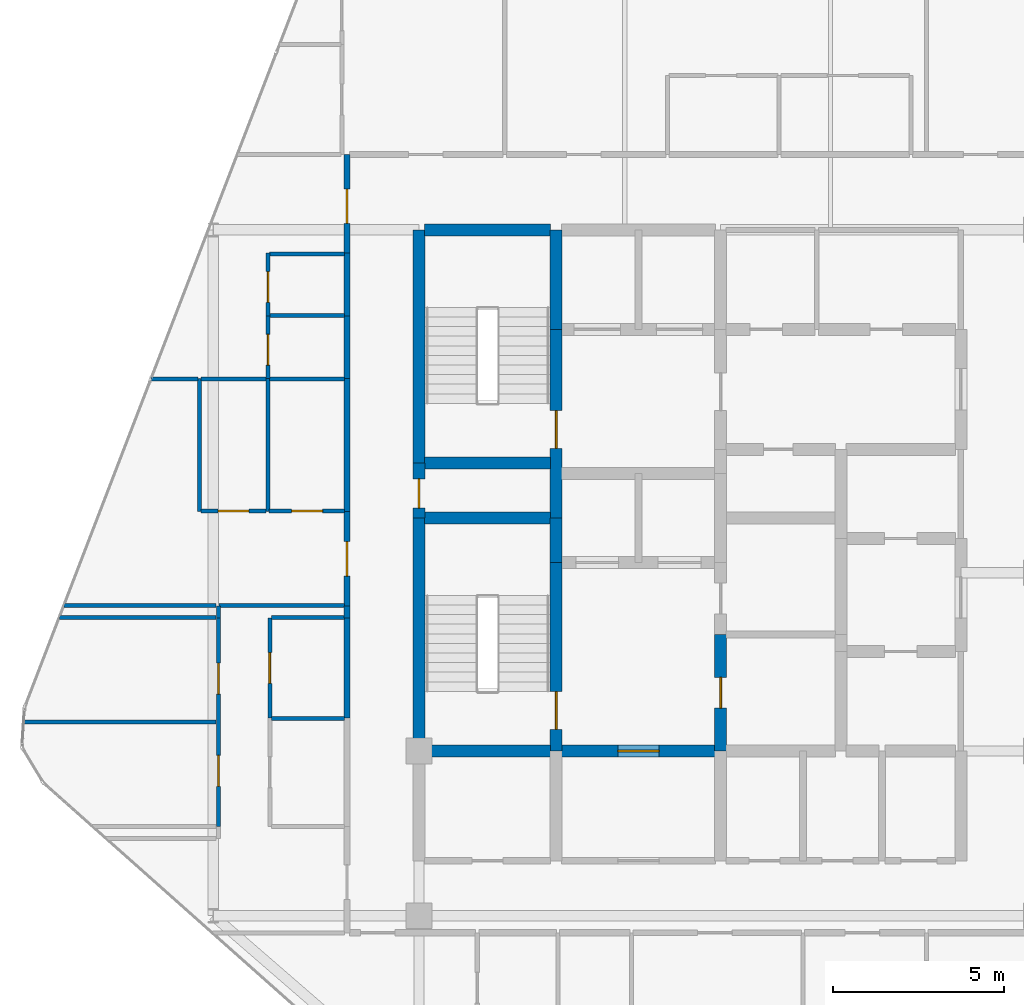
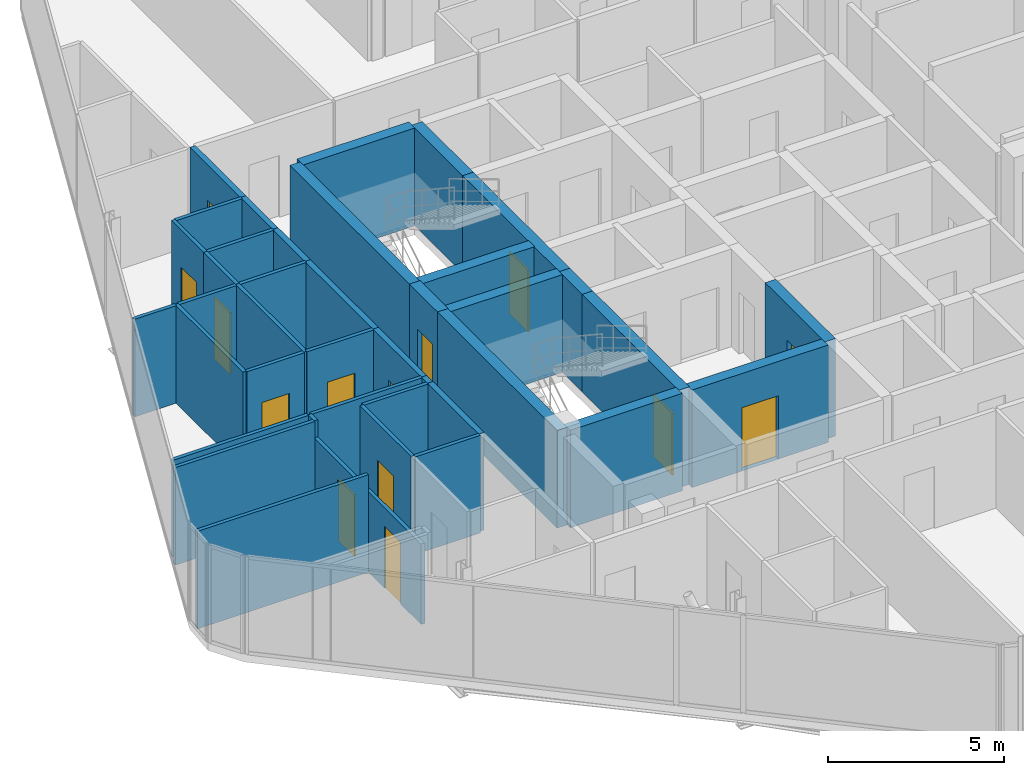
# One storey, part 23 of 27: 40 walls, 14 doors, 14 openings.
"""IFC4 building model written with IfcOpenShell, lengths in metres."""

from ifc_helpers import new_model, si_unit, direction, frame, frame_2d, origin, place, context, subcontext, project, spatial, rectangle, extrude, material, layer, layer_set, type_object, element, fill, save


model = new_model("IFC4")

# Units and contexts
model_context = context("Model", 3, precision=1e-05, world=origin(), true_north=direction((0.0, 1.0)))
body_context = subcontext(model_context, "Body", "Model", "MODEL_VIEW")
ifc_project = project(units=[si_unit("LENGTHUNIT", "METRE"), si_unit("AREAUNIT", "SQUARE_METRE"), si_unit("VOLUMEUNIT", "CUBIC_METRE"), si_unit("PLANEANGLEUNIT", "RADIAN"), si_unit("MASSUNIT", "GRAM", prefix="KILO")], contexts=[model_context])

# Site, building, storey
site_placement = place(None, origin())
site = spatial("IfcSite", under=ifc_project, at=site_placement, CompositionType="ELEMENT")
building_placement = place(site_placement, origin())
building = spatial("IfcBuilding", under=site, at=building_placement, Name="Keshet Zoharim Tower", CompositionType="ELEMENT")
storey_placement = place(building_placement, frame((0.0, 0.0, 262.10009765625)))
storey = spatial("IfcBuildingStorey", under=building, at=storey_placement, Name="L65", CompositionType="ELEMENT", Elevation=262.10009765625)

# Wall
ifc_material_1 = material(Name="Concrete C60/75", Category="concrete")
ifc_layer_1 = layer(ifc_material_1, 0.35009765625)
ifc_layer_set_1 = layer_set([ifc_layer_1], Name="Concrete C60/75")
wall_type_1 = type_object("IfcWallType", Name="WL-CORE-350", PredefinedType="SHEAR", material=ifc_layer_set_1)
wall_1_placement = place(storey_placement, frame((15.0, 22.699951171875, 0.0), z_axis=(0.0, 0.0, 1.0), x_axis=(0.0, 1.0, 0.0)))
element("IfcWall", 1, at=wall_1_placement, inside=storey, type_object=wall_type_1, Name="L65 Core Shear Wall 022", PredefinedType="SHEAR", context=body_context, shape_type="SweptSolid", body=[
    extrude(rectangle(XDim=6.800048828125, YDim=0.35009765625, at=frame_2d((3.39990234375, 0.0))), origin(), (0.0, 0.0, 1.0), 3.389892578125),
])

# Wall, opening, door
wall_2_placement = place(storey_placement, frame((15.0, 29.5, 0.0), z_axis=(0.0, 0.0, 1.0), x_axis=(0.0, 1.0, 0.0)))
wall_2 = element("IfcWall", 2, at=wall_2_placement, inside=storey, type_object=wall_type_1, Name="L65 Core Shear Wall 023", PredefinedType="SHEAR", context=body_context, shape_type="SweptSolid", body=[
    extrude(rectangle(XDim=1.60009765625, YDim=0.35009765625, at=frame_2d((0.800048828125, 0.0))), origin(), (0.0, 0.0, 1.0), 3.389892578125),
])
opening_1_placement = place(wall_2_placement, frame((0.287109375, 0.0, 0.0)))
opening_1 = element("IfcOpeningElement", 3, at=opening_1_placement, cuts=wall_2, Name="Opening D-RS85", PredefinedType="OPENING", context=body_context, shape_type="SweptSolid", body=[
    extrude(rectangle(XDim=0.85009765625, YDim=2.10009765625, at=frame_2d((0.425048828125, 1.050048828125))), frame((0.0, 0.18505859375, 0.0), z_axis=(0.0, -1.0, 0.0), x_axis=(1.0, 0.0, 0.0)), (0.0, 0.0, 1.0), 0.3701171875),
])
ifc_material_2 = material(Name="Hardwood Timber", Category="wood")
door_type_1 = type_object("IfcDoorType", Name="DR-RIS-085", OperationType="NOTDEFINED", PredefinedType="DOOR", material=ifc_material_2)
door_1_placement = place(opening_1_placement, origin())
door_1 = element("IfcDoor", 4, at=door_1_placement, inside=storey, type_object=door_type_1, Name="L65 Electrical Riser Access Cupboard Door", OperationType="SINGLE_SWING_RIGHT", OverallHeight=2.10009765625, OverallWidth=0.85009765625, PredefinedType="DOOR", context=body_context, shape_type="SweptSolid", body=[
    extrude(rectangle(XDim=0.85009765625, YDim=2.10009765625, at=frame_2d((0.425048828125, 1.050048828125))), frame((0.0, 0.02490234375, 0.0), z_axis=(0.0, -1.0, 0.0), x_axis=(1.0, 0.0, 0.0)), (0.0, 0.0, 1.0), 0.050048828125),
])
fill(opening_1, door_1)

# Wall
wall_3_placement = place(storey_placement, frame((15.0, 31.10009765625, 0.0), z_axis=(0.0, 0.0, 1.0), x_axis=(0.0, 1.0, 0.0)))
element("IfcWall", 5, at=wall_3_placement, inside=storey, type_object=wall_type_1, Name="L65 Core Shear Wall 024", PredefinedType="SHEAR", context=body_context, shape_type="SweptSolid", body=[
    extrude(rectangle(XDim=6.7998046875, YDim=0.35009765625, at=frame_2d((3.39990234375, 0.0))), origin(), (0.0, 0.0, 1.0), 3.389892578125),
])

# Wall, opening, door
wall_4_placement = place(storey_placement, frame((19.0, 22.699951171875, 0.0), z_axis=(0.0, 0.0, 1.0), x_axis=(0.0, 1.0, 0.0)))
wall_4 = element("IfcWall", 6, at=wall_4_placement, inside=storey, type_object=wall_type_1, Name="L65 Core Shear Wall 029", PredefinedType="SHEAR", context=body_context, shape_type="SweptSolid", body=[
    extrude(rectangle(XDim=5.5, YDim=0.35009765625, at=frame_2d((2.75, 0.0))), origin(), (0.0, 0.0, 1.0), 3.389892578125),
])
opening_2_placement = place(wall_4_placement, frame((0.631103515625, 0.0, 0.0)))
opening_2 = element("IfcOpeningElement", 7, at=opening_2_placement, cuts=wall_4, Name="Opening D-F611", PredefinedType="OPENING", context=body_context, shape_type="SweptSolid", body=[
    extrude(rectangle(XDim=1.10009765625, YDim=2.14990234375, at=frame_2d((0.550048828125, 1.074951171875))), frame((0.0, 0.18505859375, 0.0), z_axis=(0.0, -1.0, 0.0), x_axis=(1.0, 0.0, 0.0)), (0.0, 0.0, 1.0), 0.3701171875),
])
door_type_2 = type_object("IfcDoorType", Name="DR-FD60-110", OperationType="NOTDEFINED", PredefinedType="DOOR", material=ifc_material_2)
door_2_placement = place(opening_2_placement, origin())
door_2 = element("IfcDoor", 8, at=door_2_placement, inside=storey, type_object=door_type_2, Name="L65 Exit Stair ST-01 Fire Door", OperationType="SINGLE_SWING_RIGHT", OverallHeight=2.14990234375, OverallWidth=1.10009765625, PredefinedType="DOOR", context=body_context, shape_type="SweptSolid", body=[
    extrude(rectangle(XDim=1.10009765625, YDim=2.14990234375, at=frame_2d((0.550048828125, 1.074951171875))), frame((0.0, 0.02490234375, 0.0), z_axis=(0.0, -1.0, 0.0), x_axis=(1.0, 0.0, 0.0)), (0.0, 0.0, 1.0), 0.050048828125),
])
fill(opening_2, door_2)

# Wall
wall_5_placement = place(storey_placement, frame((19.0, 28.199951171875, 0.0), z_axis=(0.0, 0.0, 1.0), x_axis=(0.0, 1.0, 0.0)))
element("IfcWall", 9, at=wall_5_placement, inside=storey, type_object=wall_type_1, Name="L65 Core Shear Wall 030", PredefinedType="SHEAR", context=body_context, shape_type="SweptSolid", body=[
    extrude(rectangle(XDim=1.300048828125, YDim=0.35009765625, at=frame_2d((0.64990234375, 0.0))), origin(), (0.0, 0.0, 1.0), 3.389892578125),
])

# Wall, opening, door
wall_6_placement = place(storey_placement, frame((19.0, 29.5, 0.0), z_axis=(0.0, 0.0, 1.0), x_axis=(0.0, 1.0, 0.0)))
wall_6 = element("IfcWall", 10, at=wall_6_placement, inside=storey, type_object=wall_type_1, Name="L65 Core Shear Wall 031", PredefinedType="SHEAR", context=body_context, shape_type="SweptSolid", body=[
    extrude(rectangle(XDim=5.5, YDim=0.35009765625, at=frame_2d((2.75, 0.0))), origin(), (0.0, 0.0, 1.0), 3.389892578125),
])
opening_3_placement = place(wall_6_placement, frame((2.02490234375, 0.0, 0.0)))
opening_3 = element("IfcOpeningElement", 11, at=opening_3_placement, cuts=wall_6, Name="Opening D-F611", PredefinedType="OPENING", context=body_context, shape_type="SweptSolid", body=[
    extrude(rectangle(XDim=1.10009765625, YDim=2.14990234375, at=frame_2d((0.550048828125, 1.074951171875))), frame((0.0, 0.18505859375, 0.0), z_axis=(0.0, -1.0, 0.0), x_axis=(1.0, 0.0, 0.0)), (0.0, 0.0, 1.0), 0.3701171875),
])
door_3_placement = place(opening_3_placement, origin())
door_3 = element("IfcDoor", 12, at=door_3_placement, inside=storey, type_object=door_type_2, Name="L65 Exit Stair ST-02 Fire Door", OperationType="SINGLE_SWING_LEFT", OverallHeight=2.14990234375, OverallWidth=1.10009765625, PredefinedType="DOOR", context=body_context, shape_type="SweptSolid", body=[
    extrude(rectangle(XDim=1.10009765625, YDim=2.14990234375, at=frame_2d((0.550048828125, 1.074951171875))), frame((0.0, 0.02490234375, 0.0), z_axis=(0.0, -1.0, 0.0), x_axis=(1.0, 0.0, 0.0)), (0.0, 0.0, 1.0), 0.050048828125),
])
fill(opening_3, door_3)

# Wall
wall_7_placement = place(storey_placement, frame((19.0, 35.0, 0.0), z_axis=(0.0, 0.0, 1.0), x_axis=(0.0, 1.0, 0.0)))
element("IfcWall", 13, at=wall_7_placement, inside=storey, type_object=wall_type_1, Name="L65 Core Shear Wall 032", PredefinedType="SHEAR", context=body_context, shape_type="SweptSolid", body=[
    extrude(rectangle(XDim=2.89990234375, YDim=0.35009765625, at=frame_2d((1.449951171875, 0.0))), origin(), (0.0, 0.0, 1.0), 3.389892578125),
])

# Wall, opening, door
wall_8_placement = place(storey_placement, frame((23.800048828125, 22.699951171875, 0.0), z_axis=(0.0, 0.0, 1.0), x_axis=(0.0, 1.0, 0.0)))
wall_8 = element("IfcWall", 14, at=wall_8_placement, inside=storey, type_object=wall_type_1, Name="L65 Core Shear Wall 042", PredefinedType="SHEAR", context=body_context, shape_type="SweptSolid", body=[
    extrude(rectangle(XDim=3.400146484375, YDim=0.35009765625, at=frame_2d((1.7001953125, 0.0))), origin(), (0.0, 0.0, 1.0), 3.389892578125),
])
opening_4_placement = place(wall_8_placement, frame((1.25, 0.0, 0.0)))
opening_4 = element("IfcOpeningElement", 15, at=opening_4_placement, cuts=wall_8, Name="Opening D-F690", PredefinedType="OPENING", context=body_context, shape_type="SweptSolid", body=[
    extrude(rectangle(XDim=0.89990234375, YDim=2.14990234375, at=frame_2d((0.449951171875, 1.074951171875))), frame((0.0, 0.18505859375, 0.0), z_axis=(0.0, -1.0, 0.0), x_axis=(1.0, 0.0, 0.0)), (0.0, 0.0, 1.0), 0.3701171875),
])
door_type_3 = type_object("IfcDoorType", Name="DR-FD60-090", OperationType="NOTDEFINED", PredefinedType="DOOR", material=ifc_material_2)
door_4_placement = place(opening_4_placement, origin())
door_4 = element("IfcDoor", 16, at=door_4_placement, inside=storey, type_object=door_type_3, Name="L65 Core Linen Store Door", OperationType="SINGLE_SWING_LEFT", OverallHeight=2.14990234375, OverallWidth=0.89990234375, PredefinedType="DOOR", context=body_context, shape_type="SweptSolid", body=[
    extrude(rectangle(XDim=0.89990234375, YDim=2.14990234375, at=frame_2d((0.449951171875, 1.074951171875))), frame((0.0, 0.02490234375, 0.0), z_axis=(0.0, -1.0, 0.0), x_axis=(1.0, 0.0, 0.0)), (0.0, 0.0, 1.0), 0.050048828125),
])
fill(opening_4, door_4)

# Wall
wall_9_placement = place(storey_placement, frame((15.159912109375, 22.699951171875, 0.0), z_axis=(0.0, 0.0, 1.0), x_axis=(1.0, 0.0, 0.0)))
element("IfcWall", 17, at=wall_9_placement, inside=storey, type_object=wall_type_1, Name="L65 Core Shear Wall 120", PredefinedType="SHEAR", context=body_context, shape_type="SweptSolid", body=[
    extrude(rectangle(XDim=3.68017578125, YDim=0.35009765625, at=frame_2d((1.840087890625, 0.0))), origin(), (0.0, 0.0, 1.0), 3.389892578125),
])

# Wall, opening, door
wall_10_placement = place(storey_placement, frame((19.159912109375, 22.699951171875, 0.0), z_axis=(0.0, 0.0, 1.0), x_axis=(1.0, 0.0, 0.0)))
wall_10 = element("IfcWall", 18, at=wall_10_placement, inside=storey, type_object=wall_type_1, Name="L65 Core Shear Wall 121", PredefinedType="SHEAR", context=body_context, shape_type="SweptSolid", body=[
    extrude(rectangle(XDim=4.47998046875, YDim=0.35009765625, at=frame_2d((2.239990234375, 0.0))), origin(), (0.0, 0.0, 1.0), 3.389892578125),
])
opening_5_placement = place(wall_10_placement, frame((1.639892578125, 0.0, 0.0)))
opening_5 = element("IfcOpeningElement", 19, at=opening_5_placement, cuts=wall_10, Name="Opening D-F612", PredefinedType="OPENING", context=body_context, shape_type="SweptSolid", body=[
    extrude(rectangle(XDim=1.199951171875, YDim=2.199951171875, at=frame_2d((0.60009765625, 1.10009765625))), frame((0.0, 0.18505859375, 0.0), z_axis=(0.0, -1.0, 0.0), x_axis=(1.0, 0.0, 0.0)), (0.0, 0.0, 1.0), 0.3701171875),
])
door_type_4 = type_object("IfcDoorType", Name="DR-FD60-120", OperationType="NOTDEFINED", PredefinedType="DOOR", material=ifc_material_2)
door_5_placement = place(opening_5_placement, origin())
door_5 = element("IfcDoor", 20, at=door_5_placement, inside=storey, type_object=door_type_4, Name="L65 South Core Lobby Fire Door", OperationType="SINGLE_SWING_LEFT", OverallHeight=2.199951171875, OverallWidth=1.199951171875, PredefinedType="DOOR", context=body_context, shape_type="SweptSolid", body=[
    extrude(rectangle(XDim=1.199951171875, YDim=2.199951171875, at=frame_2d((0.60009765625, 1.10009765625))), frame((0.0, 0.02490234375, 0.0), z_axis=(0.0, -1.0, 0.0), x_axis=(1.0, 0.0, 0.0)), (0.0, 0.0, 1.0), 0.050048828125),
])
fill(opening_5, door_5)

# Walls
for number, where, z_axis, x_axis, name in (
    (21, (15.159912109375, 29.5, 0.0), (0.0, 0.0, 1.0), (1.0, 0.0, 0.0), "L65 Core Shear Wall 139"),
    (22, (15.159912109375, 31.10009765625, 0.0), (0.0, 0.0, 1.0), (1.0, 0.0, 0.0), "L65 Core Shear Wall 144"),
    (23, (15.159912109375, 37.89990234375, 0.0), (0.0, 0.0, 1.0), (1.0, 0.0, 0.0), "L65 Core Shear Wall 158"),
):
    element("IfcWall", number, at=place(storey_placement, frame(where, z_axis=z_axis, x_axis=x_axis)), inside=storey, type_object=wall_type_1, Name=name, PredefinedType="SHEAR", context=body_context, shape_type="SweptSolid", body=[
        extrude(rectangle(XDim=3.68017578125, YDim=0.35009765625, at=frame_2d((1.840087890625, 0.0))), origin(), (0.0, 0.0, 1.0), 3.389892578125),
    ])
ifc_material_3 = material(Name="Gypsum Plasterboard", Category="gypsum")
ifc_layer_2 = layer(ifc_material_3, 0.179931640625)
ifc_layer_set_2 = layer_set([ifc_layer_2], Name="Gypsum Plasterboard")
wall_type_2 = type_object("IfcWallType", Name="WL-CORR-180", PredefinedType="STANDARD", material=ifc_layer_set_2)
wall_11_placement = place(storey_placement, frame((12.89990234375, 23.662109375, 0.0), z_axis=(0.0, 0.0, 1.0), x_axis=(0.0, 1.0, 0.0)))
element("IfcWall", 24, at=wall_11_placement, inside=storey, type_object=wall_type_2, Name="L65 Interior Wall 014", PredefinedType="STANDARD", context=body_context, shape_type="SweptSolid", body=[
    extrude(rectangle(XDim=2.91796875, YDim=0.179931640625, at=frame_2d((1.458984375, 0.0))), origin(), (0.0, 0.0, 1.0), 3.389892578125),
])
wall_12_placement = place(storey_placement, frame((12.89990234375, 26.580078125, 0.0), z_axis=(0.0, 0.0, 1.0), x_axis=(0.0, 1.0, 0.0)))
element("IfcWall", 25, at=wall_12_placement, inside=storey, type_object=wall_type_2, Name="L65 Interior Wall 015", PredefinedType="STANDARD", context=body_context, shape_type="SweptSolid", body=[
    extrude(rectangle(XDim=0.349853515625, YDim=0.179931640625, at=frame_2d((0.1748046875, 0.0))), origin(), (0.0, 0.0, 1.0), 3.389892578125),
])

# Wall, opening, door
wall_13_placement = place(storey_placement, frame((12.89990234375, 26.929931640625, 0.0), z_axis=(0.0, 0.0, 1.0), x_axis=(0.0, 1.0, 0.0)))
wall_13 = element("IfcWall", 26, at=wall_13_placement, inside=storey, type_object=wall_type_2, Name="L65 Interior Wall 016", PredefinedType="STANDARD", context=body_context, shape_type="SweptSolid", body=[
    extrude(rectangle(XDim=2.75, YDim=0.179931640625, at=frame_2d((1.375, 0.0))), origin(), (0.0, 0.0, 1.0), 3.389892578125),
])
opening_6_placement = place(wall_13_placement, frame((0.875, 0.0, 0.0)))
opening_6 = element("IfcOpeningElement", 27, at=opening_6_placement, cuts=wall_13, Name="Opening D-F310", PredefinedType="OPENING", context=body_context, shape_type="SweptSolid", body=[
    extrude(rectangle(XDim=1.0, YDim=2.14990234375, at=frame_2d((0.5, 1.074951171875))), frame((0.0, 0.10009765625, 0.0), z_axis=(0.0, -1.0, 0.0), x_axis=(1.0, 0.0, 0.0)), (0.0, 0.0, 1.0), 0.199951171875),
])
door_type_5 = type_object("IfcDoorType", Name="DR-FD30-100", OperationType="NOTDEFINED", PredefinedType="DOOR", material=ifc_material_2)
door_6_placement = place(opening_6_placement, origin())
door_6 = element("IfcDoor", 28, at=door_6_placement, inside=storey, type_object=door_type_5, Name="Apartment 6508 Entrance Door", OperationType="SINGLE_SWING_RIGHT", OverallHeight=2.14990234375, OverallWidth=1.0, PredefinedType="DOOR", context=body_context, shape_type="SweptSolid", body=[
    extrude(rectangle(XDim=1.0, YDim=2.14990234375, at=frame_2d((0.5, 1.074951171875))), frame((0.0, 0.02490234375, 0.0), z_axis=(0.0, -1.0, 0.0), x_axis=(1.0, 0.0, 0.0)), (0.0, 0.0, 1.0), 0.050048828125),
])
fill(opening_6, door_6)

# Walls
wall_14_placement = place(storey_placement, frame((12.89990234375, 29.679931640625, 0.0), z_axis=(0.0, 0.0, 1.0), x_axis=(0.0, 1.0, 0.0)))
element("IfcWall", 29, at=wall_14_placement, inside=storey, type_object=wall_type_2, Name="L65 Interior Wall 017", PredefinedType="STANDARD", context=body_context, shape_type="SweptSolid", body=[
    extrude(rectangle(XDim=3.880126953125, YDim=0.179931640625, at=frame_2d((1.93994140625, 0.0))), origin(), (0.0, 0.0, 1.0), 3.389892578125),
])
wall_15_placement = place(storey_placement, frame((12.89990234375, 33.56005859375, 0.0), z_axis=(0.0, 0.0, 1.0), x_axis=(0.0, 1.0, 0.0)))
element("IfcWall", 30, at=wall_15_placement, inside=storey, type_object=wall_type_2, Name="L65 Interior Wall 018", PredefinedType="STANDARD", context=body_context, shape_type="SweptSolid", body=[
    extrude(rectangle(XDim=1.8310546875, YDim=0.179931640625, at=frame_2d((0.91552734375, 0.0))), origin(), (0.0, 0.0, 1.0), 3.389892578125),
])
wall_16_placement = place(storey_placement, frame((12.89990234375, 35.39111328125, 0.0), z_axis=(0.0, 0.0, 1.0), x_axis=(0.0, 1.0, 0.0)))
element("IfcWall", 31, at=wall_16_placement, inside=storey, type_object=wall_type_2, Name="L65 Interior Wall 019", PredefinedType="STANDARD", context=body_context, shape_type="SweptSolid", body=[
    extrude(rectangle(XDim=1.830810546875, YDim=0.179931640625, at=frame_2d((0.91552734375, 0.0))), origin(), (0.0, 0.0, 1.0), 3.389892578125),
])

# Wall, opening, door
wall_17_placement = place(storey_placement, frame((12.89990234375, 37.221923828125, 0.0), z_axis=(0.0, 0.0, 1.0), x_axis=(0.0, 1.0, 0.0)))
wall_17 = element("IfcWall", 32, at=wall_17_placement, inside=storey, type_object=wall_type_2, Name="L65 Interior Wall 020", PredefinedType="STANDARD", context=body_context, shape_type="SweptSolid", body=[
    extrude(rectangle(XDim=2.878173828125, YDim=0.179931640625, at=frame_2d((1.43896484375, 0.0))), origin(), (0.0, 0.0, 1.0), 3.389892578125),
])
opening_7_placement = place(wall_17_placement, frame((0.864013671875, 0.0, 0.0)))
opening_7 = element("IfcOpeningElement", 33, at=opening_7_placement, cuts=wall_17, Name="Opening D-F310", PredefinedType="OPENING", context=body_context, shape_type="SweptSolid", body=[
    extrude(rectangle(XDim=1.0, YDim=2.14990234375, at=frame_2d((0.5, 1.074951171875))), frame((0.0, 0.10009765625, 0.0), z_axis=(0.0, -1.0, 0.0), x_axis=(1.0, 0.0, 0.0)), (0.0, 0.0, 1.0), 0.199951171875),
])
door_7_placement = place(opening_7_placement, origin())
door_7 = element("IfcDoor", 34, at=door_7_placement, inside=storey, type_object=door_type_5, Name="Apartment 6509 Entrance Door", OperationType="SINGLE_SWING_LEFT", OverallHeight=2.14990234375, OverallWidth=1.0, PredefinedType="DOOR", context=body_context, shape_type="SweptSolid", body=[
    extrude(rectangle(XDim=1.0, YDim=2.14990234375, at=frame_2d((0.5, 1.074951171875))), frame((0.0, 0.02490234375, 0.0), z_axis=(0.0, -1.0, 0.0), x_axis=(1.0, 0.0, 0.0)), (0.0, 0.0, 1.0), 0.050048828125),
])
fill(opening_7, door_7)

# Wall
ifc_layer_3 = layer(ifc_material_3, 0.1201171875)
ifc_layer_set_3 = layer_set([ifc_layer_3], Name="Gypsum Plasterboard")
wall_type_3 = type_object("IfcWallType", Name="WL-PART-120", PredefinedType="PARTITIONING", material=ifc_layer_set_3)
wall_18_placement = place(storey_placement, frame((8.60009765625, 29.679931640625, 0.0), z_axis=(0.0, 0.0, 1.0), x_axis=(0.0, 1.0, 0.0)))
element("IfcWall", 35, at=wall_18_placement, inside=storey, type_object=wall_type_3, Name="L65 Interior Wall 001", PredefinedType="PARTITIONING", context=body_context, shape_type="SweptSolid", body=[
    extrude(rectangle(XDim=3.880126953125, YDim=0.1201171875, at=frame_2d((1.93994140625, 0.0))), origin(), (0.0, 0.0, 1.0), 3.389892578125),
])

# Wall, openings, doors
wall_19_placement = place(storey_placement, frame((9.14990234375, 20.5, 0.0), z_axis=(0.0, 0.0, 1.0), x_axis=(0.0, 1.0, 0.0)))
wall_19 = element("IfcWall", 36, at=wall_19_placement, inside=storey, type_object=wall_type_3, Name="L65 Interior Wall 003", PredefinedType="PARTITIONING", context=body_context, shape_type="SweptSolid", body=[
    extrude(rectangle(XDim=6.080078125, YDim=0.1201171875, at=frame_2d((3.0400390625, 0.0))), origin(), (0.0, 0.0, 1.0), 2.789794921875),
])
opening_8_placement = place(wall_19_placement, frame((1.173095703125, 0.0, 0.0)))
opening_8 = element("IfcOpeningElement", 37, at=opening_8_placement, cuts=wall_19, Name="Opening D-IN90", PredefinedType="OPENING", context=body_context, shape_type="SweptSolid", body=[
    extrude(rectangle(XDim=0.89990234375, YDim=2.14990234375, at=frame_2d((0.449951171875, 1.074951171875))), frame((0.0, 0.070068359375, 0.0), z_axis=(0.0, -1.0, 0.0), x_axis=(1.0, 0.0, 0.0)), (0.0, 0.0, 1.0), 0.14013671875),
])
opening_9_placement = place(wall_19_placement, frame((3.863037109375, 0.0, 0.0)))
opening_9 = element("IfcOpeningElement", 38, at=opening_9_placement, cuts=wall_19, Name="Opening D-IN90", PredefinedType="OPENING", context=body_context, shape_type="SweptSolid", body=[
    extrude(rectangle(XDim=0.89990234375, YDim=2.14990234375, at=frame_2d((0.449951171875, 1.074951171875))), frame((0.0, 0.070068359375, 0.0), z_axis=(0.0, -1.0, 0.0), x_axis=(1.0, 0.0, 0.0)), (0.0, 0.0, 1.0), 0.14013671875),
])
door_type_6 = type_object("IfcDoorType", Name="DR-INT-090", OperationType="NOTDEFINED", PredefinedType="DOOR", material=ifc_material_2)
door_8_placement = place(opening_8_placement, origin())
door_8 = element("IfcDoor", 39, at=door_8_placement, inside=storey, type_object=door_type_6, Name="Apartment 6507 Bedroom 1 Door", OperationType="SINGLE_SWING_LEFT", OverallHeight=2.14990234375, OverallWidth=0.89990234375, PredefinedType="DOOR", context=body_context, shape_type="SweptSolid", body=[
    extrude(rectangle(XDim=0.89990234375, YDim=2.14990234375, at=frame_2d((0.449951171875, 1.074951171875))), frame((0.0, 0.02490234375, 0.0), z_axis=(0.0, -1.0, 0.0), x_axis=(1.0, 0.0, 0.0)), (0.0, 0.0, 1.0), 0.050048828125),
])
fill(opening_8, door_8)
door_9_placement = place(opening_9_placement, origin())
door_9 = element("IfcDoor", 40, at=door_9_placement, inside=storey, type_object=door_type_6, Name="Apartment 6507 Bedroom 2 Door", OperationType="SINGLE_SWING_RIGHT", OverallHeight=2.14990234375, OverallWidth=0.89990234375, PredefinedType="DOOR", context=body_context, shape_type="SweptSolid", body=[
    extrude(rectangle(XDim=0.89990234375, YDim=2.14990234375, at=frame_2d((0.449951171875, 1.074951171875))), frame((0.0, 0.02490234375, 0.0), z_axis=(0.0, -1.0, 0.0), x_axis=(1.0, 0.0, 0.0)), (0.0, 0.0, 1.0), 0.050048828125),
])
fill(opening_9, door_9)

# Wall
wall_20_placement = place(storey_placement, frame((9.14990234375, 26.580078125, 0.0), z_axis=(0.0, 0.0, 1.0), x_axis=(0.0, 1.0, 0.0)))
element("IfcWall", 41, at=wall_20_placement, inside=storey, type_object=wall_type_3, Name="L65 Interior Wall 004", PredefinedType="PARTITIONING", context=body_context, shape_type="SweptSolid", body=[
    extrude(rectangle(XDim=0.349853515625, YDim=0.1201171875, at=frame_2d((0.1748046875, 0.0))), origin(), (0.0, 0.0, 1.0), 3.389892578125),
])

# Wall, opening, door
wall_21_placement = place(storey_placement, frame((10.60009765625, 33.56005859375, 0.0), z_axis=(0.0, 0.0, 1.0), x_axis=(0.0, 1.0, 0.0)))
wall_21 = element("IfcWall", 42, at=wall_21_placement, inside=storey, type_object=wall_type_3, Name="L65 Interior Wall 006", PredefinedType="PARTITIONING", context=body_context, shape_type="SweptSolid", body=[
    extrude(rectangle(XDim=1.8310546875, YDim=0.1201171875, at=frame_2d((0.91552734375, 0.0))), origin(), (0.0, 0.0, 1.0), 3.389892578125),
])
opening_10_placement = place(wall_21_placement, frame((0.39404296875, 0.0, 0.0)))
opening_10 = element("IfcOpeningElement", 43, at=opening_10_placement, cuts=wall_21, Name="Opening D-IN90", PredefinedType="OPENING", context=body_context, shape_type="SweptSolid", body=[
    extrude(rectangle(XDim=0.89990234375, YDim=2.14990234375, at=frame_2d((0.449951171875, 1.074951171875))), frame((0.0, 0.070068359375, 0.0), z_axis=(0.0, -1.0, 0.0), x_axis=(1.0, 0.0, 0.0)), (0.0, 0.0, 1.0), 0.14013671875),
])
door_10_placement = place(opening_10_placement, origin())
door_10 = element("IfcDoor", 44, at=door_10_placement, inside=storey, type_object=door_type_6, Name="Apartment 6509 Kitchenette Door", OperationType="SINGLE_SWING_LEFT", OverallHeight=2.14990234375, OverallWidth=0.89990234375, PredefinedType="DOOR", context=body_context, shape_type="SweptSolid", body=[
    extrude(rectangle(XDim=0.89990234375, YDim=2.14990234375, at=frame_2d((0.449951171875, 1.074951171875))), frame((0.0, 0.02490234375, 0.0), z_axis=(0.0, -1.0, 0.0), x_axis=(1.0, 0.0, 0.0)), (0.0, 0.0, 1.0), 0.050048828125),
])
fill(opening_10, door_10)

# Walls
wall_22_placement = place(storey_placement, frame((3.47802734375, 23.550048828125, 0.0), z_axis=(0.0, 0.0, 1.0), x_axis=(1.0, 0.0, 0.0)))
element("IfcWall", 45, at=wall_22_placement, inside=storey, type_object=wall_type_3, Name="L65 Interior Wall 125", PredefinedType="PARTITIONING", context=body_context, shape_type="SweptSolid", body=[
    extrude(rectangle(XDim=5.60693359375, YDim=0.1201171875, at=frame_2d((2.803466796875, 0.0))), origin(), (0.0, 0.0, 1.0), 3.389892578125),
])
wall_23_placement = place(storey_placement, frame((4.510009765625, 26.60009765625, 0.0), z_axis=(0.0, 0.0, 1.0), x_axis=(1.0, 0.0, 0.0)))
element("IfcWall", 46, at=wall_23_placement, inside=storey, type_object=wall_type_3, Name="L65 Interior Wall 130", PredefinedType="PARTITIONING", context=body_context, shape_type="SweptSolid", body=[
    extrude(rectangle(XDim=4.574951171875, YDim=0.1201171875, at=frame_2d((2.28759765625, 0.0))), origin(), (0.0, 0.0, 1.0), 3.389892578125),
])
wall_24_placement = place(storey_placement, frame((4.64404296875, 26.949951171875, 0.0), z_axis=(0.0, 0.0, 1.0), x_axis=(1.0, 0.0, 0.0)))
element("IfcWall", 47, at=wall_24_placement, inside=storey, type_object=wall_type_3, Name="L65 Interior Wall 132", PredefinedType="PARTITIONING", context=body_context, shape_type="SweptSolid", body=[
    extrude(rectangle(XDim=4.44091796875, YDim=0.1201171875, at=frame_2d((2.220458984375, 0.0))), origin(), (0.0, 0.0, 1.0), 3.389892578125),
])
wall_25_placement = place(storey_placement, frame((9.175048828125, 26.949951171875, 0.0), z_axis=(0.0, 0.0, 1.0), x_axis=(1.0, 0.0, 0.0)))
element("IfcWall", 48, at=wall_25_placement, inside=storey, type_object=wall_type_3, Name="L65 Interior Wall 133", PredefinedType="PARTITIONING", context=body_context, shape_type="SweptSolid", body=[
    extrude(rectangle(XDim=3.64990234375, YDim=0.1201171875, at=frame_2d((1.824951171875, 0.0))), origin(), (0.0, 0.0, 1.0), 3.389892578125),
])

# Wall, opening, door
wall_26_placement = place(storey_placement, frame((8.64501953125, 29.699951171875, 0.0), z_axis=(0.0, 0.0, 1.0), x_axis=(1.0, 0.0, 0.0)))
wall_26 = element("IfcWall", 49, at=wall_26_placement, inside=storey, type_object=wall_type_3, Name="L65 Interior Wall 141", PredefinedType="PARTITIONING", context=body_context, shape_type="SweptSolid", body=[
    extrude(rectangle(XDim=1.887939453125, YDim=0.1201171875, at=frame_2d((0.94384765625, 0.0))), origin(), (0.0, 0.0, 1.0), 3.389892578125),
])
opening_11_placement = place(wall_26_placement, frame((0.493896484375, 0.0, 0.0)))
opening_11 = element("IfcOpeningElement", 50, at=opening_11_placement, cuts=wall_26, Name="Opening D-IN90", PredefinedType="OPENING", context=body_context, shape_type="SweptSolid", body=[
    extrude(rectangle(XDim=0.89990234375, YDim=2.14990234375, at=frame_2d((0.449951171875, 1.074951171875))), frame((0.0, 0.070068359375, 0.0), z_axis=(0.0, -1.0, 0.0), x_axis=(1.0, 0.0, 0.0)), (0.0, 0.0, 1.0), 0.14013671875),
])
door_11_placement = place(opening_11_placement, origin())
door_11 = element("IfcDoor", 51, at=door_11_placement, inside=storey, type_object=door_type_6, Name="Apartment 6508 Kitchen Door", OperationType="SINGLE_SWING_RIGHT", OverallHeight=2.14990234375, OverallWidth=0.89990234375, PredefinedType="DOOR", context=body_context, shape_type="SweptSolid", body=[
    extrude(rectangle(XDim=0.89990234375, YDim=2.14990234375, at=frame_2d((0.449951171875, 1.074951171875))), frame((0.0, 0.02490234375, 0.0), z_axis=(0.0, -1.0, 0.0), x_axis=(1.0, 0.0, 0.0)), (0.0, 0.0, 1.0), 0.050048828125),
])
fill(opening_11, door_11)

# Walls
wall_27_placement = place(storey_placement, frame((7.18310546875, 33.550048828125, 0.0), z_axis=(0.0, 0.0, 1.0), x_axis=(1.0, 0.0, 0.0)))
element("IfcWall", 52, at=wall_27_placement, inside=storey, type_object=wall_type_3, Name="L65 Interior Wall 148", PredefinedType="PARTITIONING", context=body_context, shape_type="SweptSolid", body=[
    extrude(rectangle(XDim=1.371826171875, YDim=0.1201171875, at=frame_2d((0.68603515625, 0.0))), origin(), (0.0, 0.0, 1.0), 3.389892578125),
])
wall_28_placement = place(storey_placement, frame((8.64501953125, 33.550048828125, 0.0), z_axis=(0.0, 0.0, 1.0), x_axis=(1.0, 0.0, 0.0)))
element("IfcWall", 53, at=wall_28_placement, inside=storey, type_object=wall_type_3, Name="L65 Interior Wall 149", PredefinedType="PARTITIONING", context=body_context, shape_type="SweptSolid", body=[
    extrude(rectangle(XDim=1.887939453125, YDim=0.1201171875, at=frame_2d((0.94384765625, 0.0))), origin(), (0.0, 0.0, 1.0), 3.389892578125),
])
ifc_layer_4 = layer(ifc_material_3, 0.1201171875)
ifc_layer_set_4 = layer_set([ifc_layer_4], Name="Gypsum Plasterboard")
wall_type_4 = type_object("IfcWallType", Name="WL-WET-120", PredefinedType="PARTITIONING", material=ifc_layer_set_4)
wall_29_placement = place(storey_placement, frame((10.60009765625, 29.679931640625, 0.0), z_axis=(0.0, 0.0, 1.0), x_axis=(0.0, 1.0, 0.0)))
element("IfcWall", 54, at=wall_29_placement, inside=storey, type_object=wall_type_4, Name="L65 Interior Wall 005", PredefinedType="PARTITIONING", context=body_context, shape_type="SweptSolid", body=[
    extrude(rectangle(XDim=3.880126953125, YDim=0.1201171875, at=frame_2d((1.93994140625, 0.0))), origin(), (0.0, 0.0, 1.0), 3.389892578125),
])

# Wall, opening, door
wall_30_placement = place(storey_placement, frame((10.60009765625, 35.39111328125, 0.0), z_axis=(0.0, 0.0, 1.0), x_axis=(0.0, 1.0, 0.0)))
wall_30 = element("IfcWall", 55, at=wall_30_placement, inside=storey, type_object=wall_type_4, Name="L65 Interior Wall 007", PredefinedType="PARTITIONING", context=body_context, shape_type="SweptSolid", body=[
    extrude(rectangle(XDim=1.830810546875, YDim=0.1201171875, at=frame_2d((0.91552734375, 0.0))), origin(), (0.0, 0.0, 1.0), 3.389892578125),
])
opening_12_placement = place(wall_30_placement, frame((0.39404296875, 0.0, 0.0)))
opening_12 = element("IfcOpeningElement", 56, at=opening_12_placement, cuts=wall_30, Name="Opening D-WT90", PredefinedType="OPENING", context=body_context, shape_type="SweptSolid", body=[
    extrude(rectangle(XDim=0.89990234375, YDim=2.10009765625, at=frame_2d((0.449951171875, 1.050048828125))), frame((0.0, 0.070068359375, 0.0), z_axis=(0.0, -1.0, 0.0), x_axis=(1.0, 0.0, 0.0)), (0.0, 0.0, 1.0), 0.14013671875),
])
door_type_7 = type_object("IfcDoorType", Name="DR-WET-090", OperationType="NOTDEFINED", PredefinedType="DOOR", material=ifc_material_2)
door_12_placement = place(opening_12_placement, origin())
door_12 = element("IfcDoor", 57, at=door_12_placement, inside=storey, type_object=door_type_7, Name="Apartment 6509 Bathroom Door", OperationType="SINGLE_SWING_RIGHT", OverallHeight=2.10009765625, OverallWidth=0.89990234375, PredefinedType="DOOR", context=body_context, shape_type="SweptSolid", body=[
    extrude(rectangle(XDim=0.89990234375, YDim=2.10009765625, at=frame_2d((0.449951171875, 1.050048828125))), frame((0.0, 0.02490234375, 0.0), z_axis=(0.0, -1.0, 0.0), x_axis=(1.0, 0.0, 0.0)), (0.0, 0.0, 1.0), 0.050048828125),
])
fill(opening_12, door_12)

wall_31_placement = place(storey_placement, frame((10.64990234375, 23.662109375, 0.0), z_axis=(0.0, 0.0, 1.0), x_axis=(0.0, 1.0, 0.0)))
wall_31 = element("IfcWall", 58, at=wall_31_placement, inside=storey, type_object=wall_type_4, Name="L65 Interior Wall 009", PredefinedType="PARTITIONING", context=body_context, shape_type="SweptSolid", body=[
    extrude(rectangle(XDim=2.91796875, YDim=0.1201171875, at=frame_2d((1.458984375, 0.0))), origin(), (0.0, 0.0, 1.0), 3.389892578125),
])
opening_13_placement = place(wall_31_placement, frame((1.009033203125, 0.0, 0.0)))
opening_13 = element("IfcOpeningElement", 59, at=opening_13_placement, cuts=wall_31, Name="Opening D-WT90", PredefinedType="OPENING", context=body_context, shape_type="SweptSolid", body=[
    extrude(rectangle(XDim=0.89990234375, YDim=2.10009765625, at=frame_2d((0.449951171875, 1.050048828125))), frame((0.0, 0.070068359375, 0.0), z_axis=(0.0, -1.0, 0.0), x_axis=(1.0, 0.0, 0.0)), (0.0, 0.0, 1.0), 0.14013671875),
])
door_13_placement = place(opening_13_placement, origin())
door_13 = element("IfcDoor", 60, at=door_13_placement, inside=storey, type_object=door_type_7, Name="Apartment 6507 Bathroom Door", OperationType="SINGLE_SWING_RIGHT", OverallHeight=2.10009765625, OverallWidth=0.89990234375, PredefinedType="DOOR", context=body_context, shape_type="SweptSolid", body=[
    extrude(rectangle(XDim=0.89990234375, YDim=2.10009765625, at=frame_2d((0.449951171875, 1.050048828125))), frame((0.0, 0.02490234375, 0.0), z_axis=(0.0, -1.0, 0.0), x_axis=(1.0, 0.0, 0.0)), (0.0, 0.0, 1.0), 0.050048828125),
])
fill(opening_13, door_13)

# Walls
for number, where, z_axis, x_axis, name in (
    (61, (10.695068359375, 23.64990234375, 0.0), (0.0, 0.0, 1.0), (1.0, 0.0, 0.0), "L65 Interior Wall 126"),
    (62, (10.695068359375, 26.60009765625, 0.0), (0.0, 0.0, 1.0), (1.0, 0.0, 0.0), "L65 Interior Wall 131"),
):
    element("IfcWall", number, at=place(storey_placement, frame(where, z_axis=z_axis, x_axis=x_axis)), inside=storey, type_object=wall_type_4, Name=name, PredefinedType="PARTITIONING", context=body_context, shape_type="SweptSolid", body=[
        extrude(rectangle(XDim=2.1298828125, YDim=0.1201171875, at=frame_2d((1.06494140625, 0.0))), origin(), (0.0, 0.0, 1.0), 3.389892578125),
    ])

# Wall, opening, door
wall_32_placement = place(storey_placement, frame((10.623046875, 29.699951171875, 0.0), z_axis=(0.0, 0.0, 1.0), x_axis=(1.0, 0.0, 0.0)))
wall_32 = element("IfcWall", 63, at=wall_32_placement, inside=storey, type_object=wall_type_4, Name="L65 Interior Wall 142", PredefinedType="PARTITIONING", context=body_context, shape_type="SweptSolid", body=[
    extrude(rectangle(XDim=2.201904296875, YDim=0.1201171875, at=frame_2d((1.10107421875, 0.0))), origin(), (0.0, 0.0, 1.0), 3.389892578125),
])
opening_14_placement = place(wall_32_placement, frame((0.666015625, 0.0, 0.0)))
opening_14 = element("IfcOpeningElement", 64, at=opening_14_placement, cuts=wall_32, Name="Opening D-WT90", PredefinedType="OPENING", context=body_context, shape_type="SweptSolid", body=[
    extrude(rectangle(XDim=0.89990234375, YDim=2.10009765625, at=frame_2d((0.449951171875, 1.050048828125))), frame((0.0, 0.070068359375, 0.0), z_axis=(0.0, -1.0, 0.0), x_axis=(1.0, 0.0, 0.0)), (0.0, 0.0, 1.0), 0.14013671875),
])
door_14_placement = place(opening_14_placement, origin())
door_14 = element("IfcDoor", 65, at=door_14_placement, inside=storey, type_object=door_type_7, Name="Apartment 6508 Bathroom Door", OperationType="SINGLE_SWING_LEFT", OverallHeight=2.10009765625, OverallWidth=0.89990234375, PredefinedType="DOOR", context=body_context, shape_type="SweptSolid", body=[
    extrude(rectangle(XDim=0.89990234375, YDim=2.10009765625, at=frame_2d((0.449951171875, 1.050048828125))), frame((0.0, 0.02490234375, 0.0), z_axis=(0.0, -1.0, 0.0), x_axis=(1.0, 0.0, 0.0)), (0.0, 0.0, 1.0), 0.050048828125),
])
fill(opening_14, door_14)

# Walls
for number, where, z_axis, x_axis, name in (
    (66, (10.64501953125, 33.550048828125, 0.0), (0.0, 0.0, 1.0), (1.0, 0.0, 0.0), "L65 Interior Wall 150"),
    (67, (10.64501953125, 35.39990234375, 0.0), (0.0, 0.0, 1.0), (1.0, 0.0, 0.0), "L65 Interior Wall 155"),
    (68, (10.64501953125, 37.199951171875, 0.0), (0.0, 0.0, 1.0), (1.0, 0.0, 0.0), "L65 Interior Wall 157"),
):
    element("IfcWall", number, at=place(storey_placement, frame(where, z_axis=z_axis, x_axis=x_axis)), inside=storey, type_object=wall_type_4, Name=name, PredefinedType="PARTITIONING", context=body_context, shape_type="SweptSolid", body=[
        extrude(rectangle(XDim=2.179931640625, YDim=0.1201171875, at=frame_2d((1.08984375, 0.0))), origin(), (0.0, 0.0, 1.0), 3.389892578125),
    ])

save(model, "model.ifc")
